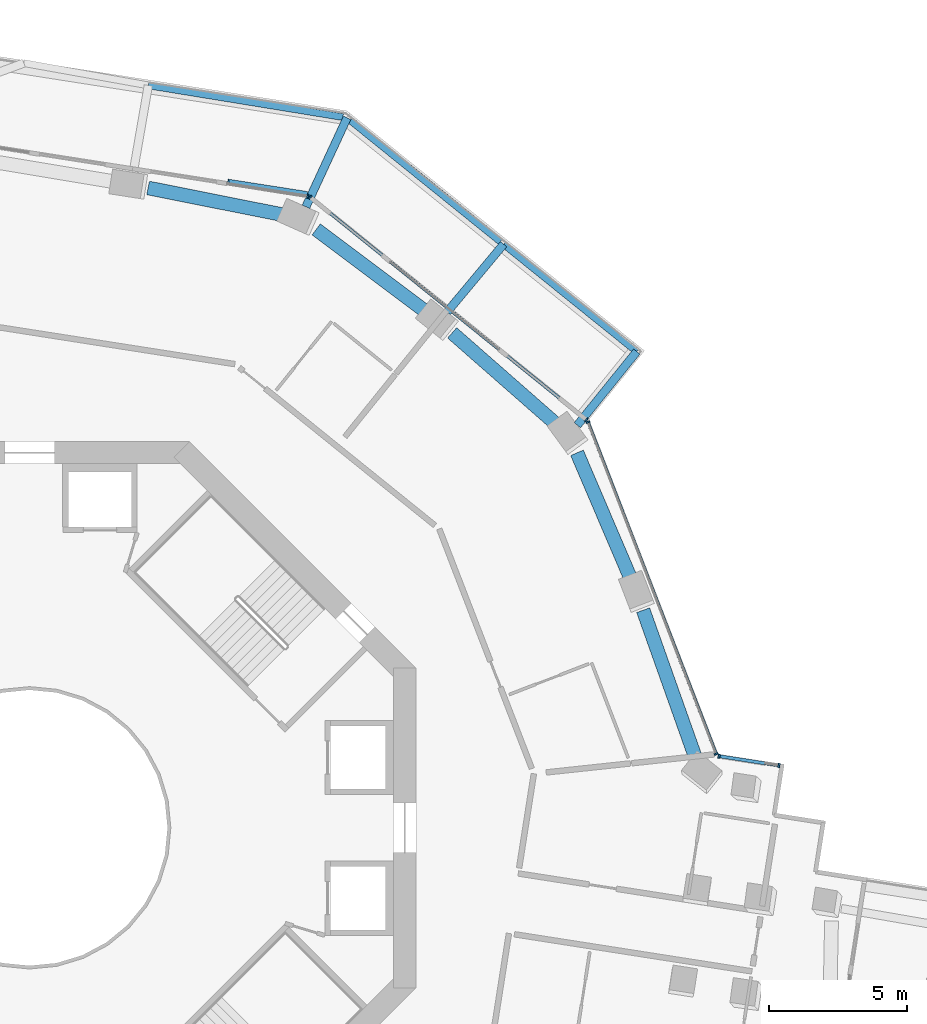
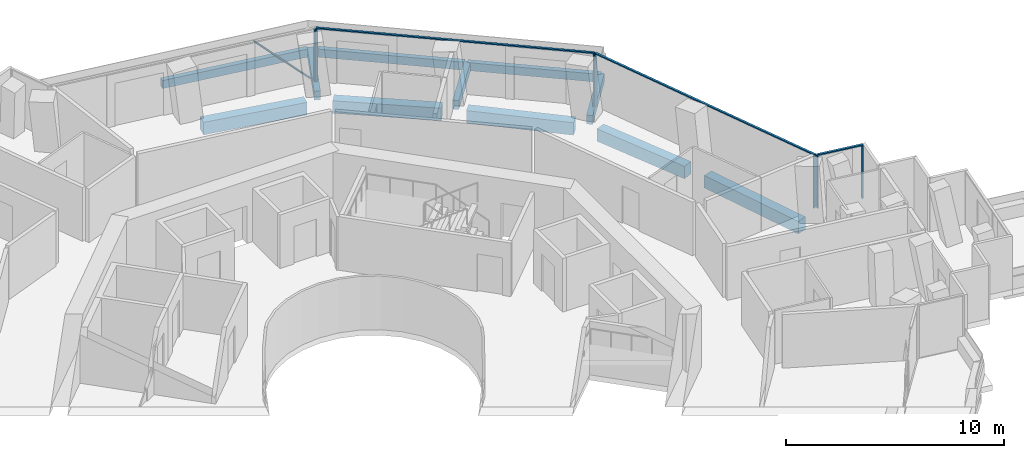
# One storey, part 9 of 23: 11 beams, 11 members, 4 elements without a shape of their own.
"""IFC4 building model written with IfcOpenShell, lengths in metres."""

from ifc_helpers import new_model, si_unit, direction, frame, origin, origin_2d, place, context, subcontext, project, spatial, rectangle, extrude, material, layer, layer_set, material_profile, profile_set, type_object, element, aggregate, save


model = new_model("IFC4")

# Units and contexts
model_context = context("Model", 3, precision=1e-05, world=origin(), true_north=direction((0.0, 1.0)))
body_context = subcontext(model_context, "Body", "Model", "MODEL_VIEW")
ifc_project = project(units=[si_unit("LENGTHUNIT", "METRE"), si_unit("AREAUNIT", "SQUARE_METRE"), si_unit("VOLUMEUNIT", "CUBIC_METRE"), si_unit("PLANEANGLEUNIT", "RADIAN"), si_unit("MASSUNIT", "GRAM", prefix="KILO")], contexts=[model_context])

# Site, building, storey
site_placement = place(None, origin())
site = spatial("IfcSite", under=ifc_project, at=site_placement, CompositionType="ELEMENT")
building_placement = place(site_placement, origin())
building = spatial("IfcBuilding", under=site, at=building_placement, Name="Verdalira Terraces Hotel", CompositionType="ELEMENT")
storey_placement = place(building_placement, frame((0.0, 0.0, 118.5)))
storey = spatial("IfcBuildingStorey", under=building, at=storey_placement, Name="L28", CompositionType="ELEMENT", Elevation=118.5)

# Beams
ifc_material_1 = material(Name="Concrete C40", Category="concrete")
ifc_material_profile_1 = material_profile(ifc_material_1, rectangle(XDim=0.300049, YDim=0.5, at=origin_2d()), Name="RC 300X500")
ifc_profile_set_1 = profile_set([ifc_material_profile_1], Name="Concrete C40")
beam_type_1 = type_object("IfcBeamType", Name="Balcony cantilever beam RC 300X500 C40", PredefinedType="BEAM", material=ifc_profile_set_1)
beam_1_placement = place(storey_placement, frame((19.857178, 14.596191, -0.560059), z_axis=(0.627657883, 0.778489295, 0.0), x_axis=(-0.778489295, 0.627657883, 0.0)))
element("IfcBeam", 1, at=beam_1_placement, inside=storey, type_object=beam_type_1, Name="Balcony cantilever beam R40-1", PredefinedType="BEAM", context=body_context, shape_type="SweptSolid", body=[
    extrude(rectangle(XDim=0.300049, YDim=0.5, at=origin_2d()), origin(), (0.0, 0.0, 1.0), 3.431396),
])
beam_2_placement = place(storey_placement, frame((15.134033, 18.701416, -0.560059), z_axis=(0.640671902, 0.767814766, 0.0), x_axis=(-0.767814766, 0.640671902, 0.0)))
element("IfcBeam", 2, at=beam_2_placement, inside=storey, type_object=beam_type_1, Name="Balcony cantilever beam R40-2", PredefinedType="BEAM", context=body_context, shape_type="SweptSolid", body=[
    extrude(rectangle(XDim=0.300049, YDim=0.5, at=origin_2d()), origin(), (0.0, 0.0, 1.0), 3.200928),
])
beam_3_placement = place(storey_placement, frame((10.015381, 22.515137, -0.560059), z_axis=(0.420076464, 0.907488713, 0.0), x_axis=(-0.907488713, 0.420076464, 0.0)))
element("IfcBeam", 3, at=beam_3_placement, inside=storey, type_object=beam_type_1, Name="Balcony cantilever beam R40-3", PredefinedType="BEAM", context=body_context, shape_type="SweptSolid", body=[
    extrude(rectangle(XDim=0.300049, YDim=0.5, at=origin_2d()), origin(), (0.0, 0.0, 1.0), 3.556885),
])
ifc_material_2 = material(Name="Concrete C40", Category="concrete")
ifc_material_profile_2 = material_profile(ifc_material_2, rectangle(XDim=0.25, YDim=0.449951, at=origin_2d()), Name="RC 250X450")
ifc_profile_set_2 = profile_set([ifc_material_profile_2], Name="Concrete C40")
beam_type_2 = type_object("IfcBeamType", Name="Balcony edge beam RC 250X450 C40", PredefinedType="BEAM", material=ifc_profile_set_2)
beam_4_placement = place(storey_placement, frame((22.010986, 17.267578, -0.534912), z_axis=(-0.778450282, 0.627706268, 0.0), x_axis=(-0.627706268, -0.778450282, 0.0)))
element("IfcBeam", 4, at=beam_4_placement, inside=storey, type_object=beam_type_2, Name="Balcony edge beam R40-1", PredefinedType="BEAM", context=body_context, shape_type="SweptSolid", body=[
    extrude(rectangle(XDim=0.25, YDim=0.449951, at=origin_2d()), origin(), (0.0, 0.0, 1.0), 6.199707),
])
beam_5_placement = place(storey_placement, frame((17.068115, 21.253418, -0.534912), z_axis=(-0.77794709, 0.628329791, 0.0), x_axis=(-0.628329791, -0.77794709, 0.0)))
element("IfcBeam", 5, at=beam_5_placement, inside=storey, type_object=beam_type_2, Name="Balcony edge beam R40-2", PredefinedType="BEAM", context=body_context, shape_type="SweptSolid", body=[
    extrude(rectangle(XDim=0.25, YDim=0.449951, at=origin_2d()), origin(), (0.0, 0.0, 1.0), 6.990479),
])
beam_6_placement = place(storey_placement, frame((11.355957, 25.767822, -0.534912), z_axis=(-0.986991137, 0.160774673, 0.0), x_axis=(-0.160774673, -0.986991137, 0.0)))
element("IfcBeam", 6, at=beam_6_placement, inside=storey, type_object=beam_type_2, Name="Balcony edge beam R40-3", PredefinedType="BEAM", context=body_context, shape_type="SweptSolid", body=[
    extrude(rectangle(XDim=0.25, YDim=0.449951, at=origin_2d()), origin(), (0.0, 0.0, 1.0), 7.14624),
])

# Curtain wall, members
ifc_material_3 = material(Name="Clear glass", Category="glass")
ifc_layer_1 = layer(ifc_material_3, 0.14990234375)
ifc_layer_set_1 = layer_set([ifc_layer_1], Name="CW1 curtain wall")
curtain_wall_type_1 = type_object("IfcCurtainWallType", Name="CW1 curtain wall", PredefinedType="NOTDEFINED", material=ifc_layer_set_1)
curtain_wall_1_placement = place(storey_placement, origin())
curtain_wall_1 = element("IfcCurtainWall", 7, at=curtain_wall_1_placement, inside=storey, type_object=curtain_wall_type_1, Name="CW1 curtain wall L28 edge 39", PredefinedType="NOTDEFINED")
ifc_material_4 = material(Name="Terracotta frame", Category="masonry")
ifc_material_profile_3 = material_profile(ifc_material_4, rectangle(XDim=0.060059, YDim=0.149902, at=origin_2d()), Name="MU 60x150")
ifc_profile_set_3 = profile_set([ifc_material_profile_3], Name="Terracotta frame")
member_type_1 = type_object("IfcMemberType", Name="CW1 mullion 60x150", PredefinedType="MULLION", material=ifc_profile_set_3)
member_1_placement = place(storey_placement, frame((24.890137, 2.678467, 0.0), z_axis=(0.0, 0.0, 1.0), x_axis=(-0.360322448, 0.932827815, 0.0)))
member_1 = element("IfcMember", 8, at=member_1_placement, type_object=member_type_1, Name="CW1 mullion", PredefinedType="MULLION", context=body_context, shape_type="SweptSolid", body=[
    extrude(rectangle(XDim=0.060059, YDim=0.149902, at=origin_2d()), origin(), (0.0, 0.0, 1.0), 2.935059),
])
member_2_placement = place(storey_placement, frame((20.242188, 14.71167, 0.0), z_axis=(0.0, 0.0, 1.0), x_axis=(-0.360322448, 0.932827815, 0.0)))
member_2 = element("IfcMember", 9, at=member_2_placement, type_object=member_type_1, Name="CW1 mullion", PredefinedType="MULLION", context=body_context, shape_type="SweptSolid", body=[
    extrude(rectangle(XDim=0.060059, YDim=0.149902, at=origin_2d()), origin(), (0.0, 0.0, 1.0), 2.935059),
])

curtain_wall_2_placement = place(storey_placement, origin())
curtain_wall_2 = element("IfcCurtainWall", 10, at=curtain_wall_2_placement, inside=storey, type_object=curtain_wall_type_1, Name="CW1 curtain wall L28 edge 40", PredefinedType="NOTDEFINED")
member_3_placement = place(storey_placement, frame((20.185059, 14.789795, 0.0), z_axis=(0.0, 0.0, 1.0), x_axis=(-0.778462302, 0.627691361, 0.0)))
member_3 = element("IfcMember", 11, at=member_3_placement, type_object=member_type_1, Name="CW1 mullion", PredefinedType="MULLION", context=body_context, shape_type="SweptSolid", body=[
    extrude(rectangle(XDim=0.060059, YDim=0.149902, at=origin_2d()), origin(), (0.0, 0.0, 1.0), 2.935059),
])
member_4_placement = place(storey_placement, frame((10.174316, 22.861816, 0.0), z_axis=(0.0, 0.0, 1.0), x_axis=(-0.778462302, 0.627691361, 0.0)))
member_4 = element("IfcMember", 12, at=member_4_placement, type_object=member_type_1, Name="CW1 mullion", PredefinedType="MULLION", context=body_context, shape_type="SweptSolid", body=[
    extrude(rectangle(XDim=0.060059, YDim=0.149902, at=origin_2d()), origin(), (0.0, 0.0, 1.0), 2.935059),
])

# Curtain wall, member
curtain_wall_3_placement = place(storey_placement, origin())
curtain_wall_3 = element("IfcCurtainWall", 13, at=curtain_wall_3_placement, inside=storey, type_object=curtain_wall_type_1, Name="CW1 curtain wall L28 edge 41", PredefinedType="NOTDEFINED")
member_5_placement = place(storey_placement, frame((10.085693, 22.900879, 0.0), z_axis=(0.0, 0.0, 1.0), x_axis=(-0.98801381, 0.154365514, 0.0)))
member_5 = element("IfcMember", 14, at=member_5_placement, type_object=member_type_1, Name="CW1 mullion", PredefinedType="MULLION", context=body_context, shape_type="SweptSolid", body=[
    extrude(rectangle(XDim=0.060059, YDim=0.149902, at=origin_2d()), origin(), (0.0, 0.0, 1.0), 2.935059),
])

# Member
ifc_material_5 = material(Name="Terracotta frame", Category="masonry")
ifc_material_profile_4 = material_profile(ifc_material_5, rectangle(XDim=0.110107, YDim=0.064941, at=origin_2d()), Name="TR 65x110")
ifc_profile_set_4 = profile_set([ifc_material_profile_4], Name="Terracotta frame")
member_type_2 = type_object("IfcMemberType", Name="CW1 transom 65x110", PredefinedType="USERDEFINED", material=ifc_profile_set_4)
member_6_placement = place(storey_placement, frame((24.900879, 2.650391, 2.967529), z_axis=(-0.360318066, 0.932829508, 0.0), x_axis=(-0.932829508, -0.360318066, 0.0)))
member_6 = element("IfcMember", 15, at=member_6_placement, type_object=member_type_2, Name="CW1 transom", ObjectType="TRANSOM", PredefinedType="USERDEFINED", context=body_context, shape_type="SweptSolid", body=[
    extrude(rectangle(XDim=0.110107, YDim=0.064941, at=origin_2d()), origin(), (0.0, 0.0, 1.0), 12.959961),
])

aggregate(curtain_wall_1, [member_1, member_2, member_6])

member_7_placement = place(storey_placement, frame((20.208496, 14.770996, 2.967529), z_axis=(-0.778464568, 0.627688551, 0.0), x_axis=(-0.627688551, -0.778464568, 0.0)))
member_7 = element("IfcMember", 16, at=member_7_placement, type_object=member_type_2, Name="CW1 transom", ObjectType="TRANSOM", PredefinedType="USERDEFINED", context=body_context, shape_type="SweptSolid", body=[
    extrude(rectangle(XDim=0.110107, YDim=0.064941, at=origin_2d()), origin(), (0.0, 0.0, 1.0), 12.919922),
])

aggregate(curtain_wall_2, [member_3, member_4, member_7])

# Curtain wall, members
ifc_material_6 = material(Name="Clear glass", Category="glass")
ifc_layer_2 = layer(ifc_material_6, 0.14990234375)
ifc_layer_set_2 = layer_set([ifc_layer_2], Name="CW2 curtain wall")
curtain_wall_type_2 = type_object("IfcCurtainWallType", Name="CW2 curtain wall", PredefinedType="NOTDEFINED", material=ifc_layer_set_2)
curtain_wall_4_placement = place(storey_placement, origin())
curtain_wall_4 = element("IfcCurtainWall", 17, at=curtain_wall_4_placement, inside=storey, type_object=curtain_wall_type_2, Name="CW2 curtain wall L28 edge 38", PredefinedType="NOTDEFINED")
ifc_material_7 = material(Name="Terracotta frame", Category="masonry")
ifc_material_profile_5 = material_profile(ifc_material_7, rectangle(XDim=0.070068, YDim=0.149902, at=origin_2d()), Name="MU 70x150")
ifc_profile_set_5 = profile_set([ifc_material_profile_5], Name="Terracotta frame")
member_type_3 = type_object("IfcMemberType", Name="CW2 mullion 70x150", PredefinedType="MULLION", material=ifc_profile_set_5)
member_8_placement = place(storey_placement, frame((27.166016, 2.258545, 0.0), z_axis=(0.0, 0.0, 1.0), x_axis=(-0.98801381, 0.154365514, 0.0)))
member_8 = element("IfcMember", 18, at=member_8_placement, type_object=member_type_3, Name="CW2 mullion", PredefinedType="MULLION", context=body_context, shape_type="SweptSolid", body=[
    extrude(rectangle(XDim=0.070068, YDim=0.149902, at=origin_2d()), origin(), (0.0, 0.0, 1.0), 2.935059),
])
member_9_placement = place(storey_placement, frame((24.993896, 2.5979, 0.0), z_axis=(0.0, 0.0, 1.0), x_axis=(-0.98801381, 0.154365514, 0.0)))
member_9 = element("IfcMember", 19, at=member_9_placement, type_object=member_type_3, Name="CW2 mullion", PredefinedType="MULLION", context=body_context, shape_type="SweptSolid", body=[
    extrude(rectangle(XDim=0.070068, YDim=0.149902, at=origin_2d()), origin(), (0.0, 0.0, 1.0), 2.935059),
])
ifc_material_8 = material(Name="Terracotta frame", Category="masonry")
ifc_material_profile_6 = material_profile(ifc_material_8, rectangle(XDim=0.11499, YDim=0.064941, at=origin_2d()), Name="TR 65x115")
ifc_profile_set_6 = profile_set([ifc_material_profile_6], Name="Terracotta frame")
member_type_4 = type_object("IfcMemberType", Name="CW2 transom 65x115", PredefinedType="USERDEFINED", material=ifc_profile_set_6)
member_10_placement = place(storey_placement, frame((27.200684, 2.253174, 2.967529), z_axis=(-0.988018189, 0.154337482, 0.0), x_axis=(-0.154337482, -0.988018189, 0.0)))
member_10 = element("IfcMember", 20, at=member_10_placement, type_object=member_type_4, Name="CW2 transom", ObjectType="TRANSOM", PredefinedType="USERDEFINED", context=body_context, shape_type="SweptSolid", body=[
    extrude(rectangle(XDim=0.11499, YDim=0.064941, at=origin_2d()), origin(), (0.0, 0.0, 1.0), 2.268311),
])
aggregate(curtain_wall_4, [member_8, member_9, member_10])

# Member
ifc_material_9 = material(Name="Terracotta frame", Category="masonry")
ifc_material_profile_7 = material_profile(ifc_material_9, rectangle(XDim=0.149902, YDim=0.060059, at=origin_2d()), Name="GB 60x150")
ifc_profile_set_7 = profile_set([ifc_material_profile_7], Name="Terracotta frame")
member_type_5 = type_object("IfcMemberType", Name="Diagonal glazing bar 60x150", PredefinedType="USERDEFINED", material=ifc_profile_set_7)
member_11_placement = place(storey_placement, frame((10.047607, 22.99707, 0.022705), z_axis=(-0.697402307, 0.108922355, 0.70835439), x_axis=(-0.154312219, -0.988022135, 0.0)))
member_11 = element("IfcMember", 21, at=member_11_placement, type_object=member_type_5, Name="Diagonal glazing bar", ObjectType="GLAZING BAR", PredefinedType="USERDEFINED", context=body_context, shape_type="SweptSolid", body=[
    extrude(rectangle(XDim=0.149902, YDim=0.060059, at=origin_2d()), origin(), (0.0, 0.0, 1.0), 4.079346),
])

aggregate(curtain_wall_3, [member_5, member_11])

# Beams
ifc_material_10 = material(Name="Concrete C70", Category="concrete")
ifc_material_profile_8 = material_profile(ifc_material_10, rectangle(XDim=0.5, YDim=0.699951, at=origin_2d()), Name="RC 500X700")
ifc_profile_set_8 = profile_set([ifc_material_profile_8], Name="Concrete C70")
beam_type_3 = type_object("IfcBeamType", Name="Spandrel beam RC 500X700 C70", PredefinedType="SPANDREL", material=ifc_profile_set_8)
beam_7_placement = place(storey_placement, frame((24.139893, 2.545654, -0.659912), z_axis=(-0.334481378, 0.94240236, 0.0), x_axis=(-0.94240236, -0.334481378, 0.0)))
element("IfcBeam", 22, at=beam_7_placement, inside=storey, type_object=beam_type_3, Name="Spandrel beam B20", PredefinedType="SPANDREL", context=body_context, shape_type="SweptSolid", body=[
    extrude(rectangle(XDim=0.5, YDim=0.699951, at=origin_2d()), origin(), (0.0, 0.0, 1.0), 5.671387),
])
beam_8_placement = place(storey_placement, frame((21.813965, 8.986328, -0.659912), z_axis=(-0.392872677, 0.919592877, 0.0), x_axis=(-0.919592877, -0.392872677, 0.0)))
element("IfcBeam", 23, at=beam_8_placement, inside=storey, type_object=beam_type_3, Name="Spandrel beam B21", PredefinedType="SPANDREL", context=body_context, shape_type="SweptSolid", body=[
    extrude(rectangle(XDim=0.5, YDim=0.699951, at=origin_2d()), origin(), (0.0, 0.0, 1.0), 5.012451),
])
beam_9_placement = place(storey_placement, frame((19.087402, 14.637207, -0.659912), z_axis=(-0.751768003, 0.659427683, 0.0), x_axis=(-0.659427683, -0.751768003, 0.0)))
element("IfcBeam", 24, at=beam_9_placement, inside=storey, type_object=beam_type_3, Name="Spandrel beam B22", PredefinedType="SPANDREL", context=body_context, shape_type="SweptSolid", body=[
    extrude(rectangle(XDim=0.5, YDim=0.699951, at=origin_2d()), origin(), (0.0, 0.0, 1.0), 5.015625),
])
beam_10_placement = place(storey_placement, frame((14.398193, 18.689453, -0.659912), z_axis=(-0.800040913, 0.599945445, 0.0), x_axis=(-0.599945445, -0.800040913, 0.0)))
element("IfcBeam", 25, at=beam_10_placement, inside=storey, type_object=beam_type_3, Name="Spandrel beam B23", PredefinedType="SPANDREL", context=body_context, shape_type="SweptSolid", body=[
    extrude(rectangle(XDim=0.5, YDim=0.699951, at=origin_2d()), origin(), (0.0, 0.0, 1.0), 5.012207),
])
beam_11_placement = place(storey_placement, frame((9.211426, 22.219971, -0.659912), z_axis=(-0.980763725, 0.195198657, 0.0), x_axis=(-0.195198657, -0.980763725, 0.0)))
element("IfcBeam", 26, at=beam_11_placement, inside=storey, type_object=beam_type_3, Name="Spandrel beam B24", PredefinedType="SPANDREL", context=body_context, shape_type="SweptSolid", body=[
    extrude(rectangle(XDim=0.5, YDim=0.699951, at=origin_2d()), origin(), (0.0, 0.0, 1.0), 5.015381),
])

save(model, "model.ifc")
